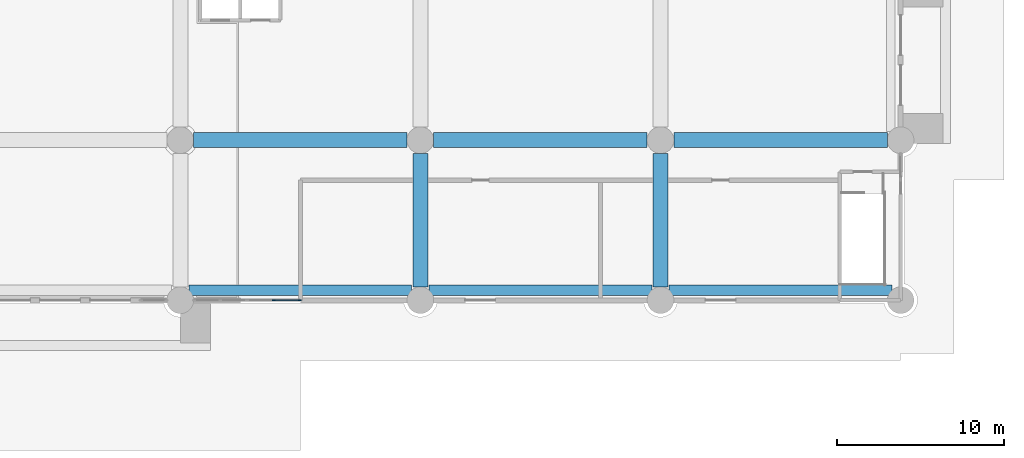
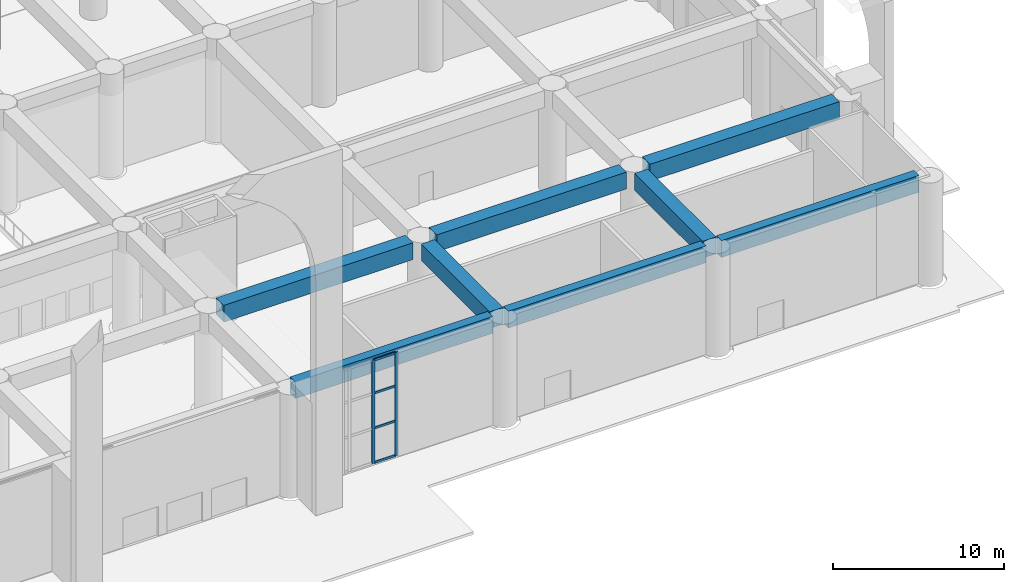
# One storey, part 5 of 32: 8 beams, 6 members, 1 element without a shape of its own.
"""IFC4 building model written with IfcOpenShell, lengths in metres."""

from ifc_helpers import new_model, si_unit, direction, frame, origin, origin_2d, place, context, subcontext, project, spatial, rectangle, extrude, source, transform, mapped, material, layer, layer_set, material_profile, profile_set, type_object, element, aggregate, save


model = new_model("IFC4")

# Units and contexts
model_context = context("Model", 3, precision=1e-05, world=origin(), true_north=direction((0.0, 1.0)))
body_context = subcontext(model_context, "Body", "Model", "MODEL_VIEW")
ifc_project = project(units=[si_unit("LENGTHUNIT", "METRE"), si_unit("AREAUNIT", "SQUARE_METRE"), si_unit("VOLUMEUNIT", "CUBIC_METRE"), si_unit("PLANEANGLEUNIT", "RADIAN"), si_unit("MASSUNIT", "GRAM", prefix="KILO")], contexts=[model_context])

# Site, building, storey
site_placement = place(None, origin())
site = spatial("IfcSite", under=ifc_project, at=site_placement, CompositionType="ELEMENT")
building_placement = place(site_placement, origin())
building = spatial("IfcBuilding", under=site, at=building_placement, Name="Saffron Iwan Residences", CompositionType="ELEMENT")
storey_placement = place(building_placement, origin())
storey = spatial("IfcBuildingStorey", under=building, at=storey_placement, Name="L00", CompositionType="ELEMENT", Elevation=0.0)

# Beams
ifc_material_1 = material(Name="Concrete C50/60", Category="concrete")
ifc_material_profile_1 = material_profile(ifc_material_1, rectangle(XDim=0.60009765625, YDim=1.199951171875, at=origin_2d()), Name="RC 600x1200")
ifc_profile_set_1 = profile_set([ifc_material_profile_1], Name="Concrete C50/60")
beam_type_1 = type_object("IfcBeamType", Name="LINTEL BEAM RC 600x1200 C50/60 TOP 7400", PredefinedType="LINTEL", material=ifc_profile_set_1)
shared_shape_1 = source(origin(), body_context, "Body", "SweptSolid", [
    extrude(rectangle(XDim=0.60009765625, YDim=1.199951171875, at=origin_2d()), origin(), (0.0, 0.0, 1.0), 13.352294921875),
])
for number, where, z_axis, x_axis, name in (
    (1, (71.47607421875, 0.60009765625, 6.800048828125), (-1.0, 0.0, 0.0), (0.0, -1.0, 0.0), "Lintel beam over the iwan"),
    (2, (85.876220703125, 0.60009765625, 6.800048828125), (-1.0, 0.0, 0.0), (0.0, -1.0, 0.0), "Lintel beam over the iwan"),
    (3, (100.276123046875, 0.60009765625, 6.800048828125), (-1.0, 0.0, 0.0), (0.0, -1.0, 0.0), "Lintel beam over the iwan"),
):
    element("IfcBeam", number, at=place(storey_placement, frame(where, z_axis=z_axis, x_axis=x_axis)), inside=storey, type_object=beam_type_1, Name=name, PredefinedType="LINTEL", context=body_context, shape_type="MappedRepresentation", body=[
        mapped(shared_shape_1, transform((0.0, 0.0, 0.0))),
    ])
ifc_material_profile_2 = material_profile(ifc_material_1, rectangle(XDim=0.89990234375, YDim=1.199951171875, at=origin_2d()), Name="RC 900x1200")
ifc_profile_set_2 = profile_set([ifc_material_profile_2], Name="Concrete C50/60")
beam_type_2 = type_object("IfcBeamType", Name="BEAM RC 900x1200 C50/60 TOP 7400", PredefinedType="BEAM", material=ifc_profile_set_2)
shared_shape_2 = source(origin(), body_context, "Body", "SweptSolid", [
    extrude(rectangle(XDim=0.89990234375, YDim=1.199951171875, at=origin_2d()), origin(), (0.0, 0.0, 1.0), 8.0),
])
for number, where, z_axis, x_axis, name in (
    (4, (72.0, 0.800048828125, 6.800048828125), (0.0, 1.0, 0.0), (-1.0, 0.0, 0.0), "Floor beam"),
    (5, (86.39990234375, 0.800048828125, 6.800048828125), (0.0, 1.0, 0.0), (-1.0, 0.0, 0.0), "Floor beam"),
):
    element("IfcBeam", number, at=place(storey_placement, frame(where, z_axis=z_axis, x_axis=x_axis)), inside=storey, type_object=beam_type_2, Name=name, PredefinedType="BEAM", context=body_context, shape_type="MappedRepresentation", body=[
        mapped(shared_shape_2, transform((0.0, 0.0, 0.0))),
    ])
shared_shape_3 = source(origin(), body_context, "Body", "SweptSolid", [
    extrude(rectangle(XDim=0.89990234375, YDim=1.199951171875, at=origin_2d()), origin(), (0.0, 0.0, 1.0), 12.800048828125),
])
for number, where, z_axis, x_axis, name in (
    (6, (58.39990234375, 9.60009765625, 6.800048828125), (1.0, 0.0, 0.0), (0.0, 1.0, 0.0), "Floor beam"),
    (7, (72.800048828125, 9.60009765625, 6.800048828125), (1.0, 0.0, 0.0), (0.0, 1.0, 0.0), "Floor beam"),
    (8, (87.199951171875, 9.60009765625, 6.800048828125), (1.0, 0.0, 0.0), (0.0, 1.0, 0.0), "Floor beam"),
):
    element("IfcBeam", number, at=place(storey_placement, frame(where, z_axis=z_axis, x_axis=x_axis)), inside=storey, type_object=beam_type_2, Name=name, PredefinedType="BEAM", context=body_context, shape_type="MappedRepresentation", body=[
        mapped(shared_shape_3, transform((0.0, 0.0, 0.0))),
    ])

# Curtain wall, members
ifc_material_2 = material(Name="Clear glass, laminated double glazed", Category="glass")
ifc_layer = layer(ifc_material_2, 0.199951171875)
ifc_layer_set = layer_set([ifc_layer], Name="Clear glass, laminated double glazed")
curtain_wall_type = type_object("IfcCurtainWallType", Name="CW-A UNITISED FRONTAGE", PredefinedType="NOTDEFINED", material=ifc_layer_set)
curtain_wall_placement = place(storey_placement, origin())
curtain_wall = element("IfcCurtainWall", 9, at=curtain_wall_placement, inside=storey, type_object=curtain_wall_type, Name="Frontage glazing 2.2", PredefinedType="NOTDEFINED")
ifc_material_3 = material(Name="Aluminium 6063-T6", Category="aluminium")
ifc_material_profile_3 = material_profile(ifc_material_3, rectangle(XDim=0.080078125, YDim=0.199951171875, at=origin_2d()), Name="CW-A MULLION 80 x 200")
ifc_profile_set_3 = profile_set([ifc_material_profile_3], Name="Aluminium 6063-T6")
member_type_1 = type_object("IfcMemberType", Name="CW-A MULLION 80 x 200", PredefinedType="MULLION", material=ifc_profile_set_3)
shared_shape_4 = source(origin(), body_context, "Body", "SweptSolid", [
    extrude(rectangle(XDim=0.080078125, YDim=0.199951171875, at=origin_2d()), origin(), (0.0, 0.0, 1.0), 7.39990234375),
])
member_1_placement = place(storey_placement, frame((63.199951171875, 0.0, 0.0), z_axis=(0.0, 0.0, 1.0), x_axis=(0.0, 1.0, 0.0)))
member_1 = element("IfcMember", 10, at=member_1_placement, type_object=member_type_1, Name="CW-A mullion 4", PredefinedType="MULLION", context=body_context, shape_type="MappedRepresentation", body=[
    mapped(shared_shape_4, transform((0.0, 0.0, 0.0))),
])
member_2_placement = place(storey_placement, frame((64.760009765625, 0.0, 0.0), z_axis=(0.0, 0.0, 1.0), x_axis=(0.0, 1.0, 0.0)))
member_2 = element("IfcMember", 11, at=member_2_placement, type_object=member_type_1, Name="CW-A mullion 5", PredefinedType="MULLION", context=body_context, shape_type="MappedRepresentation", body=[
    mapped(shared_shape_4, transform((0.0, 0.0, 0.0))),
])
ifc_material_profile_4 = material_profile(ifc_material_3, rectangle(XDim=0.080078125, YDim=0.159912109375, at=origin_2d()), Name="CW-A TRANSOM 80 x 160")
ifc_profile_set_4 = profile_set([ifc_material_profile_4], Name="Aluminium 6063-T6")
member_type_2 = type_object("IfcMemberType", Name="CW-A TRANSOM 80 x 160", PredefinedType="USERDEFINED", material=ifc_profile_set_4)
shared_shape_5 = source(origin(), body_context, "Body", "SweptSolid", [
    extrude(rectangle(XDim=0.080078125, YDim=0.159912109375, at=origin_2d()), origin(), (0.0, 0.0, 1.0), 1.47998046875),
])
member_3_placement = place(storey_placement, frame((63.239990234375, 0.0, 0.0400390625), z_axis=(1.0, 0.0, 0.0), x_axis=(0.0, 1.0, 0.0)))
member_3 = element("IfcMember", 12, at=member_3_placement, type_object=member_type_2, Name="CW-A transom 4.1", ObjectType="TRANSOM", PredefinedType="USERDEFINED", context=body_context, shape_type="MappedRepresentation", body=[
    mapped(shared_shape_5, transform((0.0, 0.0, 0.0))),
])
member_4_placement = place(storey_placement, frame((63.239990234375, 0.0, 2.5), z_axis=(1.0, 0.0, 0.0), x_axis=(0.0, 1.0, 0.0)))
member_4 = element("IfcMember", 13, at=member_4_placement, type_object=member_type_2, Name="CW-A transom 4.2", ObjectType="TRANSOM", PredefinedType="USERDEFINED", context=body_context, shape_type="MappedRepresentation", body=[
    mapped(shared_shape_5, transform((0.0, 0.0, 0.0))),
])
member_5_placement = place(storey_placement, frame((63.239990234375, 0.0, 5.0), z_axis=(1.0, 0.0, 0.0), x_axis=(0.0, 1.0, 0.0)))
member_5 = element("IfcMember", 14, at=member_5_placement, type_object=member_type_2, Name="CW-A transom 4.3", ObjectType="TRANSOM", PredefinedType="USERDEFINED", context=body_context, shape_type="MappedRepresentation", body=[
    mapped(shared_shape_5, transform((0.0, 0.0, 0.0))),
])
member_6_placement = place(storey_placement, frame((63.239990234375, 0.0, 7.360107421875), z_axis=(1.0, 0.0, 0.0), x_axis=(0.0, 1.0, 0.0)))
member_6 = element("IfcMember", 15, at=member_6_placement, type_object=member_type_2, Name="CW-A transom 4.4", ObjectType="TRANSOM", PredefinedType="USERDEFINED", context=body_context, shape_type="MappedRepresentation", body=[
    mapped(shared_shape_5, transform((0.0, 0.0, 0.0))),
])
aggregate(curtain_wall, [member_1, member_2, member_3, member_4, member_5, member_6])

save(model, "model.ifc")
